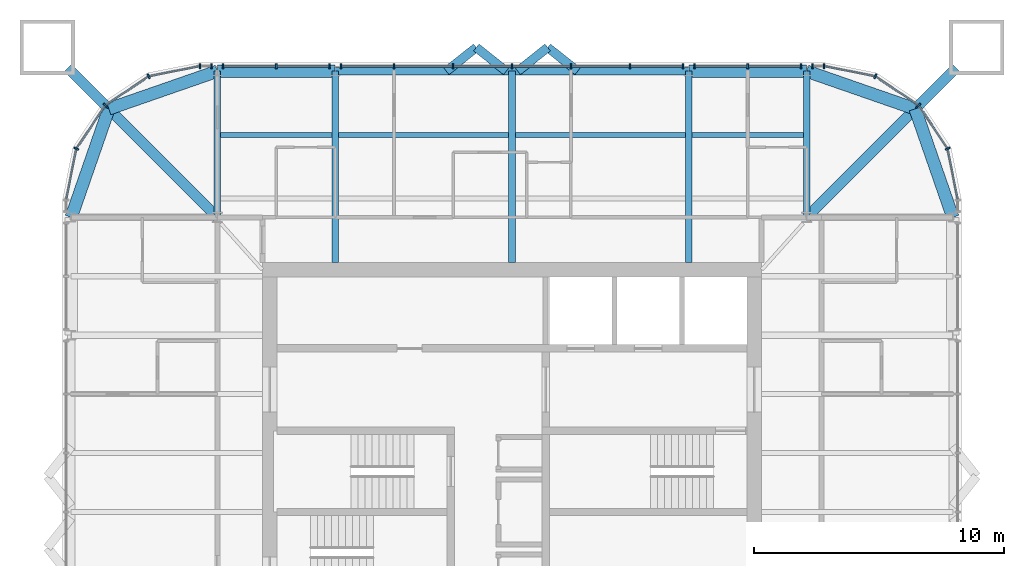
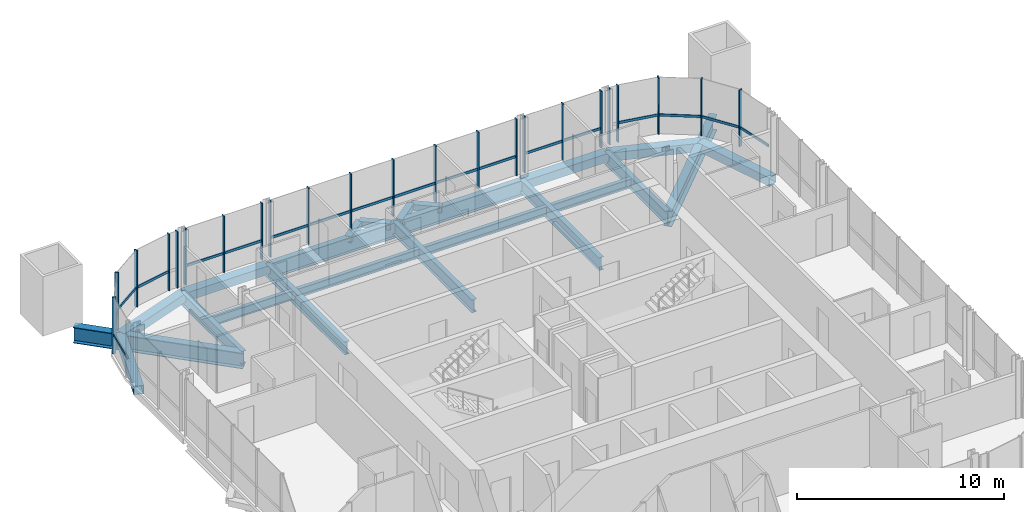
# One storey, part 6 of 17: 41 members, 22 beams, 7 elements without a shape of their own.
"""IFC4 building model written with IfcOpenShell, lengths in metres."""

from ifc_helpers import new_model, si_unit, direction, frame, origin, origin_2d, place, context, subcontext, project, spatial, rectangle, hollow_rectangle, i_section, extrude, material, material_profile, profile_set, type_object, element, aggregate, save


model = new_model("IFC4")

# Units and contexts
model_context = context("Model", 3, precision=1e-05, world=origin(), true_north=direction((0.0, 1.0)))
body_context = subcontext(model_context, "Body", "Model", "MODEL_VIEW")
ifc_project = project(units=[si_unit("LENGTHUNIT", "METRE"), si_unit("AREAUNIT", "SQUARE_METRE"), si_unit("VOLUMEUNIT", "CUBIC_METRE"), si_unit("PLANEANGLEUNIT", "RADIAN"), si_unit("MASSUNIT", "GRAM", prefix="KILO")], contexts=[model_context])

# Site, building, storey
site_placement = place(None, origin())
site = spatial("IfcSite", under=ifc_project, at=site_placement, CompositionType="ELEMENT")
building_placement = place(site_placement, origin())
building = spatial("IfcBuilding", under=site, at=building_placement, Name="Turquesa Mirador Hotel Tower", CompositionType="ELEMENT")
storey_placement = place(building_placement, frame((0.0, 0.0, 247.699951171875)))
storey = spatial("IfcBuildingStorey", under=building, at=storey_placement, Name="L67", CompositionType="ELEMENT", Elevation=247.699951171875)

# Beams
ifc_material_1 = material(Name="Steel ASTM A572 Grade 50", Category="steel")
ifc_material_profile_1 = material_profile(ifc_material_1, hollow_rectangle(XDim=0.5, YDim=0.5, WallThickness=0.01611328125, at=origin_2d()), Name="BOX500X500X16")
ifc_profile_set_1 = profile_set([ifc_material_profile_1], Name="Steel ASTM A572 Grade 50")
beam_type_1 = type_object("IfcBeamType", Name="BEAM BOX500X500X16", PredefinedType="BEAM", material=ifc_profile_set_1)
for number, where, z_axis, x_axis, name in (
    (1, (43.199951171875, 62.64990234375, -0.419921875), (1.0, 0.0, 0.0), (0.0, 1.0, 0.0), "EB-L67-N-L"),
    (2, (62.080078125, 62.64990234375, -0.419921875), (1.0, 0.0, 0.0), (0.0, 1.0, 0.0), "EB-L67-N-R"),
):
    element("IfcBeam", number, at=place(storey_placement, frame(where, z_axis=z_axis, x_axis=x_axis)), inside=storey, type_object=beam_type_1, Name=name, PredefinedType="BEAM", context=body_context, shape_type="SweptSolid", body=[
        extrude(hollow_rectangle(XDim=0.5, YDim=0.5, WallThickness=0.01611328125, at=origin_2d()), origin(), (0.0, 0.0, 1.0), 4.719970703125),
    ])
for number, where, z_axis, x_axis, name in (
    (3, (72.64990234375, 56.800048828125, -0.419921875), (-0.328170356092, 0.944618556552, 0.0), (-0.944618556552, -0.328170356092, 0.0), "KE-L67-1-0"),
    (4, (71.1416015625, 61.1416015625, -0.419921875), (-0.944618556552, 0.328170356092, 0.0), (-0.328170356092, -0.944618556552, 0.0), "KE-L67-1-1"),
    (5, (37.35009765625, 56.800048828125, -0.419921875), (0.328170356092, 0.944618556552, 0.0), (-0.944618556552, 0.328170356092, 0.0), "KE-L67-2-0"),
    (6, (38.8583984375, 61.1416015625, -0.419921875), (0.944618556552, 0.328170356092, 0.0), (-0.328170356092, 0.944618556552, 0.0), "KE-L67-2-1"),
):
    element("IfcBeam", number, at=place(storey_placement, frame(where, z_axis=z_axis, x_axis=x_axis)), inside=storey, type_object=beam_type_1, Name=name, PredefinedType="BEAM", context=body_context, shape_type="SweptSolid", body=[
        extrude(hollow_rectangle(XDim=0.5, YDim=0.5, WallThickness=0.01611328125, at=origin_2d()), origin(), (0.0, 0.0, 1.0), 4.59619140625),
    ])
ifc_material_2 = material(Name="Steel ASTM A992 Grade 50", Category="steel")
ifc_material_profile_2 = material_profile(ifc_material_2, i_section(OverallWidth=0.209228515625, OverallDepth=0.533447265625, WebThickness=0.01025390625, FlangeThickness=0.015625, at=origin_2d()), Name="W21X62")
ifc_profile_set_2 = profile_set([ifc_material_profile_2], Name="Steel ASTM A992 Grade 50")
beam_type_2 = type_object("IfcBeamType", Name="BEAM W21X62", PredefinedType="BEAM", material=ifc_profile_set_2)
beam_1_placement = place(storey_placement, frame((43.333251953125, 60.10009765625, -0.436767578125), z_axis=(1.0, 0.0, 0.0), x_axis=(0.0, 1.0, 0.0)))
element("IfcBeam", 7, at=beam_1_placement, inside=storey, type_object=beam_type_2, Name="IB-L67-N-2-0", PredefinedType="BEAM", context=body_context, shape_type="SweptSolid", body=[
    extrude(i_section(OverallWidth=0.209228515625, OverallDepth=0.533447265625, WebThickness=0.01025390625, FlangeThickness=0.015625, at=origin_2d()), origin(), (0.0, 0.0, 1.0), 4.453369140625),
])
for number, where, z_axis, x_axis, name in (
    (8, (48.053466796875, 60.10009765625, -0.436767578125), (1.0, 0.0, 0.0), (0.0, 1.0, 0.0), "IB-L67-N-2-1"),
    (9, (55.13330078125, 60.10009765625, -0.436767578125), (1.0, 0.0, 0.0), (0.0, 1.0, 0.0), "IB-L67-N-2-2"),
):
    element("IfcBeam", number, at=place(storey_placement, frame(where, z_axis=z_axis, x_axis=x_axis)), inside=storey, type_object=beam_type_2, Name=name, PredefinedType="BEAM", context=body_context, shape_type="SweptSolid", body=[
        extrude(i_section(OverallWidth=0.209228515625, OverallDepth=0.533447265625, WebThickness=0.01025390625, FlangeThickness=0.015625, at=origin_2d()), origin(), (0.0, 0.0, 1.0), 6.813232421875),
    ])
beam_2_placement = place(storey_placement, frame((62.21337890625, 60.10009765625, -0.436767578125), z_axis=(1.0, 0.0, 0.0), x_axis=(0.0, 1.0, 0.0)))
element("IfcBeam", 10, at=beam_2_placement, inside=storey, type_object=beam_type_2, Name="IB-L67-N-2-3", PredefinedType="BEAM", context=body_context, shape_type="SweptSolid", body=[
    extrude(i_section(OverallWidth=0.209228515625, OverallDepth=0.533447265625, WebThickness=0.01025390625, FlangeThickness=0.015625, at=origin_2d()), origin(), (0.0, 0.0, 1.0), 4.453369140625),
])
ifc_material_3 = material(Name="Steel ASTM A992 Grade 50", Category="steel")
ifc_material_profile_3 = material_profile(ifc_material_3, i_section(OverallWidth=0.2666015625, OverallDepth=0.7568359375, WebThickness=0.013916015625, FlangeThickness=0.019287109375, at=origin_2d()), Name="W30X108")
ifc_profile_set_3 = profile_set([ifc_material_profile_3], Name="Steel ASTM A992 Grade 50")
beam_type_3 = type_object("IfcBeamType", Name="BEAM W30X108", PredefinedType="BEAM", material=ifc_profile_set_3)
for number, where, z_axis, x_axis, name in (
    (11, (47.919921875, 62.64990234375, -0.54833984375), (0.0, -1.0, 0.0), (1.0, 0.0, 0.0), "GD-L67-N--7.08"),
    (12, (62.080078125, 62.64990234375, -0.54833984375), (0.0, -1.0, 0.0), (1.0, 0.0, 0.0), "GD-L67-N-+7.08"),
    (13, (55.0, 62.64990234375, -0.54833984375), (0.0, -1.0, 0.0), (1.0, 0.0, 0.0), "GD-L67-N-+0.00"),
):
    element("IfcBeam", number, at=place(storey_placement, frame(where, z_axis=z_axis, x_axis=x_axis)), inside=storey, type_object=beam_type_3, Name=name, PredefinedType="BEAM", context=body_context, shape_type="SweptSolid", body=[
        extrude(i_section(OverallWidth=0.2666015625, OverallDepth=0.7568359375, WebThickness=0.013916015625, FlangeThickness=0.019287109375, at=origin_2d()), origin(), (0.0, 0.0, 1.0), 7.64990234375),
    ])
for number, where, z_axis, x_axis, name in (
    (14, (43.199951171875, 62.64990234375, -0.54833984375), (0.0, -1.0, 0.0), (1.0, 0.0, 0.0), "GK-L67-N--11.80"),
    (15, (66.800048828125, 62.64990234375, -0.54833984375), (0.0, -1.0, 0.0), (1.0, 0.0, 0.0), "GK-L67-N-+11.80"),
):
    element("IfcBeam", number, at=place(storey_placement, frame(where, z_axis=z_axis, x_axis=x_axis)), inside=storey, type_object=beam_type_3, Name=name, PredefinedType="BEAM", context=body_context, shape_type="SweptSolid", body=[
        extrude(i_section(OverallWidth=0.2666015625, OverallDepth=0.7568359375, WebThickness=0.013916015625, FlangeThickness=0.019287109375, at=origin_2d()), origin(), (0.0, 0.0, 1.0), 5.849853515625),
    ])
ifc_material_4 = material(Name="Steel ASTM A992 Grade 50", Category="steel")
ifc_material_profile_4 = material_profile(ifc_material_4, i_section(OverallWidth=0.3046875, OverallDepth=0.911865234375, WebThickness=0.015869140625, FlangeThickness=0.02392578125, at=origin_2d()), Name="W36X150")
ifc_profile_set_4 = profile_set([ifc_material_profile_4], Name="Steel ASTM A992 Grade 50")
beam_type_4 = type_object("IfcBeamType", Name="BEAM W36X150", PredefinedType="BEAM", material=ifc_profile_set_4)
beam_3_placement = place(storey_placement, frame((47.919921875, 62.64990234375, -0.6259765625), z_axis=(1.0, 0.0, 0.0), x_axis=(0.0, 1.0, 0.0)))
element("IfcBeam", 16, at=beam_3_placement, inside=storey, type_object=beam_type_4, Name="EB-L67-N-C", PredefinedType="BEAM", context=body_context, shape_type="SweptSolid", body=[
    extrude(i_section(OverallWidth=0.3046875, OverallDepth=0.911865234375, WebThickness=0.015869140625, FlangeThickness=0.02392578125, at=origin_2d()), origin(), (0.0, 0.0, 1.0), 14.16015625),
])
ifc_material_5 = material(Name="Steel ASTM A992 Grade 50", Category="steel")
ifc_material_profile_5 = material_profile(ifc_material_5, i_section(OverallWidth=0.419189453125, OverallDepth=0.927001953125, WebThickness=0.019287109375, FlangeThickness=0.031982421875, at=origin_2d()), Name="W36X231")
ifc_profile_set_5 = profile_set([ifc_material_profile_5], Name="Steel ASTM A992 Grade 50")
beam_type_5 = type_object("IfcBeamType", Name="BEAM W36X231", PredefinedType="BEAM", material=ifc_profile_set_5)
for number, where, z_axis, x_axis, name in (
    (17, (66.800048828125, 56.800048828125, -0.633544921875), (0.707106781187, 0.707106781187, 0.0), (-0.707106781187, 0.707106781187, 0.0), "KD-L67-1"),
    (18, (43.199951171875, 56.800048828125, -0.633544921875), (-0.707106781187, 0.707106781187, 0.0), (-0.707106781187, -0.707106781187, 0.0), "KD-L67-2"),
):
    element("IfcBeam", number, at=place(storey_placement, frame(where, z_axis=z_axis, x_axis=x_axis)), inside=storey, type_object=beam_type_5, Name=name, PredefinedType="BEAM", context=body_context, shape_type="SweptSolid", body=[
        extrude(i_section(OverallWidth=0.419189453125, OverallDepth=0.927001953125, WebThickness=0.019287109375, FlangeThickness=0.031982421875, at=origin_2d()), origin(), (0.0, 0.0, 1.0), 8.46240234375),
    ])
ifc_material_6 = material(Name="Steel ASTM A500 Grade C", Category="steel")
ifc_material_profile_6 = material_profile(ifc_material_6, hollow_rectangle(XDim=0.355712890625, YDim=0.355712890625, WallThickness=0.0146484375, at=origin_2d()), Name="HSS14X14X5/8")
ifc_profile_set_6 = profile_set([ifc_material_profile_6], Name="Steel ASTM A500 Grade C")
beam_type_6 = type_object("IfcBeamType", Name="BRACE STRUT HSS14X14X5/8", PredefinedType="BEAM", material=ifc_profile_set_6)
beam_4_placement = place(storey_placement, frame((53.5693359375, 63.60009765625, -0.34765625), z_axis=(-0.784032888399, -0.620719284306, 0.0), x_axis=(0.620719284306, -0.784032888399, 0.0)))
element("IfcBeam", 19, at=beam_4_placement, inside=storey, type_object=beam_type_6, Name="Brace strut", PredefinedType="BEAM", context=body_context, shape_type="SweptSolid", body=[
    extrude(hollow_rectangle(XDim=0.355712890625, YDim=0.355712890625, WallThickness=0.0146484375, at=origin_2d()), origin(), (0.0, 0.0, 1.0), 1.53076171875),
])
for number, where, z_axis, x_axis, name in (
    (20, (53.5693359375, 63.60009765625, -0.34765625), (0.783971428146, -0.620796907089, 0.0), (0.620796907089, 0.783971428146, 0.0), "Brace strut"),
    (21, (56.4306640625, 63.60009765625, -0.34765625), (-0.783971428146, -0.620796907089, 0.0), (0.620796907089, -0.783971428146, 0.0), "Brace strut"),
):
    element("IfcBeam", number, at=place(storey_placement, frame(where, z_axis=z_axis, x_axis=x_axis)), inside=storey, type_object=beam_type_6, Name=name, PredefinedType="BEAM", context=body_context, shape_type="SweptSolid", body=[
        extrude(hollow_rectangle(XDim=0.355712890625, YDim=0.355712890625, WallThickness=0.0146484375, at=origin_2d()), origin(), (0.0, 0.0, 1.0), 1.530517578125),
    ])
beam_5_placement = place(storey_placement, frame((56.4306640625, 63.60009765625, -0.34765625), z_axis=(0.784032888399, -0.620719284306, 0.0), x_axis=(0.620719284306, 0.784032888399, 0.0)))
element("IfcBeam", 22, at=beam_5_placement, inside=storey, type_object=beam_type_6, Name="Brace strut", PredefinedType="BEAM", context=body_context, shape_type="SweptSolid", body=[
    extrude(hollow_rectangle(XDim=0.355712890625, YDim=0.355712890625, WallThickness=0.0146484375, at=origin_2d()), origin(), (0.0, 0.0, 1.0), 1.53076171875),
])

# Curtain wall, members
ifc_material_7 = material(Name="Aluminium extrusion", Category="aluminium")
curtain_wall_type = type_object("IfcCurtainWallType", Name="CW-4 SUITE FRITTED CURTAIN WALL", PredefinedType="USERDEFINED", material=ifc_material_7)
curtain_wall_1_placement = place(storey_placement, origin())
curtain_wall_1 = element("IfcCurtainWall", 23, at=curtain_wall_1_placement, inside=storey, type_object=curtain_wall_type, Name="CW-4 SUITE FRITTED CURTAIN WALL L67", ObjectType="CURTAIN WALL", PredefinedType="USERDEFINED")
ifc_material_8 = material(Name="Aluminium extrusion", Category="aluminium")
ifc_material_profile_7 = material_profile(ifc_material_8, rectangle(XDim=0.06494140625, YDim=0.199951171875, at=origin_2d()), Name="MULLION 65X200")
ifc_profile_set_7 = profile_set([ifc_material_profile_7], Name="Aluminium extrusion")
member_type_1 = type_object("IfcMemberType", Name="CW MULLION 65X200", PredefinedType="MULLION", material=ifc_profile_set_7)
member_1_placement = place(storey_placement, frame((72.44287109375, 59.54736328125, 0.0), z_axis=(0.0, 0.0, 1.0), x_axis=(-0.382683432365, 0.923879532511, 0.0)))
member_1 = element("IfcMember", 24, at=member_1_placement, type_object=member_type_1, Name="Mullion", PredefinedType="MULLION", context=body_context, shape_type="SweptSolid", body=[
    extrude(rectangle(XDim=0.06494140625, YDim=0.199951171875, at=origin_2d()), origin(), (0.0, 0.0, 1.0), 3.330078125),
])
member_2_placement = place(storey_placement, frame((71.282958984375, 61.282958984375, 0.0), z_axis=(0.0, 0.0, 1.0), x_axis=(-0.707106781187, 0.707106781187, 0.0)))
member_2 = element("IfcMember", 25, at=member_2_placement, type_object=member_type_1, Name="Mullion", PredefinedType="MULLION", context=body_context, shape_type="SweptSolid", body=[
    extrude(rectangle(XDim=0.06494140625, YDim=0.199951171875, at=origin_2d()), origin(), (0.0, 0.0, 1.0), 3.330078125),
])
member_3_placement = place(storey_placement, frame((69.54736328125, 62.44287109375, 0.0), z_axis=(0.0, 0.0, 1.0), x_axis=(-0.923879532511, 0.382683432365, 0.0)))
member_3 = element("IfcMember", 26, at=member_3_placement, type_object=member_type_1, Name="Mullion", PredefinedType="MULLION", context=body_context, shape_type="SweptSolid", body=[
    extrude(rectangle(XDim=0.06494140625, YDim=0.199951171875, at=origin_2d()), origin(), (0.0, 0.0, 1.0), 3.330078125),
])

curtain_wall_2_placement = place(storey_placement, origin())
curtain_wall_2 = element("IfcCurtainWall", 27, at=curtain_wall_2_placement, inside=storey, type_object=curtain_wall_type, Name="CW-4 SUITE FRITTED CURTAIN WALL L67", ObjectType="CURTAIN WALL", PredefinedType="USERDEFINED")
member_4_placement = place(storey_placement, frame((67.5, 62.85009765625, 0.0), z_axis=(0.0, 0.0, 1.0), x_axis=(-1.0, 0.0, 0.0)))
member_4 = element("IfcMember", 28, at=member_4_placement, type_object=member_type_1, Name="Mullion", PredefinedType="MULLION", context=body_context, shape_type="SweptSolid", body=[
    extrude(rectangle(XDim=0.06494140625, YDim=0.199951171875, at=origin_2d()), origin(), (0.0, 0.0, 1.0), 3.330078125),
])
member_5_placement = place(storey_placement, frame((67.033935546875, 62.85009765625, 0.0), z_axis=(0.0, 0.0, 1.0), x_axis=(-1.0, 0.0, 0.0)))
member_5 = element("IfcMember", 29, at=member_5_placement, type_object=member_type_1, Name="Mullion", PredefinedType="MULLION", context=body_context, shape_type="SweptSolid", body=[
    extrude(rectangle(XDim=0.06494140625, YDim=0.199951171875, at=origin_2d()), origin(), (0.0, 0.0, 1.0), 3.330078125),
])
aggregate(curtain_wall_2, [member_4, member_5])

curtain_wall_3_placement = place(storey_placement, origin())
curtain_wall_3 = element("IfcCurtainWall", 30, at=curtain_wall_3_placement, inside=storey, type_object=curtain_wall_type, Name="CW-4 SUITE FRITTED CURTAIN WALL L67", ObjectType="CURTAIN WALL", PredefinedType="USERDEFINED")
member_6_placement = place(storey_placement, frame((66.566162109375, 62.85009765625, 0.0), z_axis=(0.0, 0.0, 1.0), x_axis=(-1.0, 0.0, 0.0)))
member_6 = element("IfcMember", 31, at=member_6_placement, type_object=member_type_1, Name="Mullion", PredefinedType="MULLION", context=body_context, shape_type="SweptSolid", body=[
    extrude(rectangle(XDim=0.06494140625, YDim=0.199951171875, at=origin_2d()), origin(), (0.0, 0.0, 1.0), 3.330078125),
])
member_7_placement = place(storey_placement, frame((64.43994140625, 62.85009765625, 0.0), z_axis=(0.0, 0.0, 1.0), x_axis=(-1.0, 0.0, 0.0)))
member_7 = element("IfcMember", 32, at=member_7_placement, type_object=member_type_1, Name="Mullion", PredefinedType="MULLION", context=body_context, shape_type="SweptSolid", body=[
    extrude(rectangle(XDim=0.06494140625, YDim=0.199951171875, at=origin_2d()), origin(), (0.0, 0.0, 1.0), 3.330078125),
])
member_8_placement = place(storey_placement, frame((62.31396484375, 62.85009765625, 0.0), z_axis=(0.0, 0.0, 1.0), x_axis=(-1.0, 0.0, 0.0)))
member_8 = element("IfcMember", 33, at=member_8_placement, type_object=member_type_1, Name="Mullion", PredefinedType="MULLION", context=body_context, shape_type="SweptSolid", body=[
    extrude(rectangle(XDim=0.06494140625, YDim=0.199951171875, at=origin_2d()), origin(), (0.0, 0.0, 1.0), 3.330078125),
])

curtain_wall_4_placement = place(storey_placement, origin())
curtain_wall_4 = element("IfcCurtainWall", 34, at=curtain_wall_4_placement, inside=storey, type_object=curtain_wall_type, Name="CW-4 SUITE FRITTED CURTAIN WALL L67", ObjectType="CURTAIN WALL", PredefinedType="USERDEFINED")
member_9_placement = place(storey_placement, frame((61.84619140625, 62.85009765625, 0.0), z_axis=(0.0, 0.0, 1.0), x_axis=(-1.0, 0.0, 0.0)))
member_9 = element("IfcMember", 35, at=member_9_placement, type_object=member_type_1, Name="Mullion", PredefinedType="MULLION", context=body_context, shape_type="SweptSolid", body=[
    extrude(rectangle(XDim=0.06494140625, YDim=0.199951171875, at=origin_2d()), origin(), (0.0, 0.0, 1.0), 3.330078125),
])
member_10_placement = place(storey_placement, frame((59.719970703125, 62.85009765625, 0.0), z_axis=(0.0, 0.0, 1.0), x_axis=(-1.0, 0.0, 0.0)))
member_10 = element("IfcMember", 36, at=member_10_placement, type_object=member_type_1, Name="Mullion", PredefinedType="MULLION", context=body_context, shape_type="SweptSolid", body=[
    extrude(rectangle(XDim=0.06494140625, YDim=0.199951171875, at=origin_2d()), origin(), (0.0, 0.0, 1.0), 3.330078125),
])
member_11_placement = place(storey_placement, frame((57.360107421875, 62.85009765625, 0.0), z_axis=(0.0, 0.0, 1.0), x_axis=(-1.0, 0.0, 0.0)))
member_11 = element("IfcMember", 37, at=member_11_placement, type_object=member_type_1, Name="Mullion", PredefinedType="MULLION", context=body_context, shape_type="SweptSolid", body=[
    extrude(rectangle(XDim=0.06494140625, YDim=0.199951171875, at=origin_2d()), origin(), (0.0, 0.0, 1.0), 3.330078125),
])
member_12_placement = place(storey_placement, frame((55.0, 62.85009765625, 0.0), z_axis=(0.0, 0.0, 1.0), x_axis=(-1.0, 0.0, 0.0)))
member_12 = element("IfcMember", 38, at=member_12_placement, type_object=member_type_1, Name="Mullion", PredefinedType="MULLION", context=body_context, shape_type="SweptSolid", body=[
    extrude(rectangle(XDim=0.06494140625, YDim=0.199951171875, at=origin_2d()), origin(), (0.0, 0.0, 1.0), 3.330078125),
])
member_13_placement = place(storey_placement, frame((52.639892578125, 62.85009765625, 0.0), z_axis=(0.0, 0.0, 1.0), x_axis=(-1.0, 0.0, 0.0)))
member_13 = element("IfcMember", 39, at=member_13_placement, type_object=member_type_1, Name="Mullion", PredefinedType="MULLION", context=body_context, shape_type="SweptSolid", body=[
    extrude(rectangle(XDim=0.06494140625, YDim=0.199951171875, at=origin_2d()), origin(), (0.0, 0.0, 1.0), 3.330078125),
])
member_14_placement = place(storey_placement, frame((50.280029296875, 62.85009765625, 0.0), z_axis=(0.0, 0.0, 1.0), x_axis=(-1.0, 0.0, 0.0)))
member_14 = element("IfcMember", 40, at=member_14_placement, type_object=member_type_1, Name="Mullion", PredefinedType="MULLION", context=body_context, shape_type="SweptSolid", body=[
    extrude(rectangle(XDim=0.06494140625, YDim=0.199951171875, at=origin_2d()), origin(), (0.0, 0.0, 1.0), 3.330078125),
])
member_15_placement = place(storey_placement, frame((48.15380859375, 62.85009765625, 0.0), z_axis=(0.0, 0.0, 1.0), x_axis=(-1.0, 0.0, 0.0)))
member_15 = element("IfcMember", 41, at=member_15_placement, type_object=member_type_1, Name="Mullion", PredefinedType="MULLION", context=body_context, shape_type="SweptSolid", body=[
    extrude(rectangle(XDim=0.06494140625, YDim=0.199951171875, at=origin_2d()), origin(), (0.0, 0.0, 1.0), 3.330078125),
])

curtain_wall_5_placement = place(storey_placement, origin())
curtain_wall_5 = element("IfcCurtainWall", 42, at=curtain_wall_5_placement, inside=storey, type_object=curtain_wall_type, Name="CW-4 SUITE FRITTED CURTAIN WALL L67", ObjectType="CURTAIN WALL", PredefinedType="USERDEFINED")
member_16_placement = place(storey_placement, frame((47.68603515625, 62.85009765625, 0.0), z_axis=(0.0, 0.0, 1.0), x_axis=(-1.0, 0.0, 0.0)))
member_16 = element("IfcMember", 43, at=member_16_placement, type_object=member_type_1, Name="Mullion", PredefinedType="MULLION", context=body_context, shape_type="SweptSolid", body=[
    extrude(rectangle(XDim=0.06494140625, YDim=0.199951171875, at=origin_2d()), origin(), (0.0, 0.0, 1.0), 3.330078125),
])
member_17_placement = place(storey_placement, frame((45.56005859375, 62.85009765625, 0.0), z_axis=(0.0, 0.0, 1.0), x_axis=(-1.0, 0.0, 0.0)))
member_17 = element("IfcMember", 44, at=member_17_placement, type_object=member_type_1, Name="Mullion", PredefinedType="MULLION", context=body_context, shape_type="SweptSolid", body=[
    extrude(rectangle(XDim=0.06494140625, YDim=0.199951171875, at=origin_2d()), origin(), (0.0, 0.0, 1.0), 3.330078125),
])
member_18_placement = place(storey_placement, frame((43.433837890625, 62.85009765625, 0.0), z_axis=(0.0, 0.0, 1.0), x_axis=(-1.0, 0.0, 0.0)))
member_18 = element("IfcMember", 45, at=member_18_placement, type_object=member_type_1, Name="Mullion", PredefinedType="MULLION", context=body_context, shape_type="SweptSolid", body=[
    extrude(rectangle(XDim=0.06494140625, YDim=0.199951171875, at=origin_2d()), origin(), (0.0, 0.0, 1.0), 3.330078125),
])

curtain_wall_6_placement = place(storey_placement, origin())
curtain_wall_6 = element("IfcCurtainWall", 46, at=curtain_wall_6_placement, inside=storey, type_object=curtain_wall_type, Name="CW-4 SUITE FRITTED CURTAIN WALL L67", ObjectType="CURTAIN WALL", PredefinedType="USERDEFINED")
member_19_placement = place(storey_placement, frame((42.966064453125, 62.85009765625, 0.0), z_axis=(0.0, 0.0, 1.0), x_axis=(-1.0, 0.0, 0.0)))
member_19 = element("IfcMember", 47, at=member_19_placement, type_object=member_type_1, Name="Mullion", PredefinedType="MULLION", context=body_context, shape_type="SweptSolid", body=[
    extrude(rectangle(XDim=0.06494140625, YDim=0.199951171875, at=origin_2d()), origin(), (0.0, 0.0, 1.0), 3.330078125),
])
member_20_placement = place(storey_placement, frame((42.5, 62.85009765625, 0.0), z_axis=(0.0, 0.0, 1.0), x_axis=(-1.0, 0.0, 0.0)))
member_20 = element("IfcMember", 48, at=member_20_placement, type_object=member_type_1, Name="Mullion", PredefinedType="MULLION", context=body_context, shape_type="SweptSolid", body=[
    extrude(rectangle(XDim=0.06494140625, YDim=0.199951171875, at=origin_2d()), origin(), (0.0, 0.0, 1.0), 3.330078125),
])
aggregate(curtain_wall_6, [member_19, member_20])

curtain_wall_7_placement = place(storey_placement, origin())
curtain_wall_7 = element("IfcCurtainWall", 49, at=curtain_wall_7_placement, inside=storey, type_object=curtain_wall_type, Name="CW-4 SUITE FRITTED CURTAIN WALL L67", ObjectType="CURTAIN WALL", PredefinedType="USERDEFINED")
member_21_placement = place(storey_placement, frame((40.45263671875, 62.44287109375, 0.0), z_axis=(0.0, 0.0, 1.0), x_axis=(-0.923879532511, -0.382683432365, 0.0)))
member_21 = element("IfcMember", 50, at=member_21_placement, type_object=member_type_1, Name="Mullion", PredefinedType="MULLION", context=body_context, shape_type="SweptSolid", body=[
    extrude(rectangle(XDim=0.06494140625, YDim=0.199951171875, at=origin_2d()), origin(), (0.0, 0.0, 1.0), 3.330078125),
])
member_22_placement = place(storey_placement, frame((38.717041015625, 61.282958984375, 0.0), z_axis=(0.0, 0.0, 1.0), x_axis=(-0.707106781187, -0.707106781187, 0.0)))
member_22 = element("IfcMember", 51, at=member_22_placement, type_object=member_type_1, Name="Mullion", PredefinedType="MULLION", context=body_context, shape_type="SweptSolid", body=[
    extrude(rectangle(XDim=0.06494140625, YDim=0.199951171875, at=origin_2d()), origin(), (0.0, 0.0, 1.0), 3.330078125),
])
member_23_placement = place(storey_placement, frame((37.55712890625, 59.54736328125, 0.0), z_axis=(0.0, 0.0, 1.0), x_axis=(-0.382683432365, -0.923879532511, 0.0)))
member_23 = element("IfcMember", 52, at=member_23_placement, type_object=member_type_1, Name="Mullion", PredefinedType="MULLION", context=body_context, shape_type="SweptSolid", body=[
    extrude(rectangle(XDim=0.06494140625, YDim=0.199951171875, at=origin_2d()), origin(), (0.0, 0.0, 1.0), 3.330078125),
])

# Member
ifc_material_9 = material(Name="Aluminium extrusion", Category="aluminium")
ifc_material_profile_8 = material_profile(ifc_material_9, rectangle(XDim=0.06494140625, YDim=0.14990234375, at=origin_2d()), Name="TRANSOM 65X150")
ifc_profile_set_8 = profile_set([ifc_material_profile_8], Name="Aluminium extrusion")
member_type_2 = type_object("IfcMemberType", Name="CW TRANSOM 65X150", PredefinedType="USERDEFINED", material=ifc_profile_set_8)
member_24_placement = place(storey_placement, frame((72.84375, 57.531982421875, 1.10009765625), z_axis=(-0.195210621934, 0.980761343592, 0.0), x_axis=(-0.980761343592, -0.195210621934, 0.0)))
member_24 = element("IfcMember", 53, at=member_24_placement, type_object=member_type_2, Name="Transom", ObjectType="TRANSOM", PredefinedType="USERDEFINED", context=body_context, shape_type="SweptSolid", body=[
    extrude(rectangle(XDim=0.06494140625, YDim=0.14990234375, at=origin_2d()), origin(), (0.0, 0.0, 1.0), 2.022216796875),
])

member_25_placement = place(storey_placement, frame((72.4248046875, 59.574462890625, 1.10009765625), z_axis=(-0.555619095835, 0.831436961136, 0.0), x_axis=(-0.831436961136, -0.555619095835, 0.0)))
member_25 = element("IfcMember", 54, at=member_25_placement, type_object=member_type_2, Name="Transom", ObjectType="TRANSOM", PredefinedType="USERDEFINED", context=body_context, shape_type="SweptSolid", body=[
    extrude(rectangle(XDim=0.06494140625, YDim=0.14990234375, at=origin_2d()), origin(), (0.0, 0.0, 1.0), 2.0224609375),
])

member_26_placement = place(storey_placement, frame((71.256103515625, 61.301025390625, 1.10009765625), z_axis=(-0.831436961136, 0.555619095835, 0.0), x_axis=(-0.555619095835, -0.831436961136, 0.0)))
member_26 = element("IfcMember", 55, at=member_26_placement, type_object=member_type_2, Name="Transom", ObjectType="TRANSOM", PredefinedType="USERDEFINED", context=body_context, shape_type="SweptSolid", body=[
    extrude(rectangle(XDim=0.06494140625, YDim=0.14990234375, at=origin_2d()), origin(), (0.0, 0.0, 1.0), 2.0224609375),
])

member_27_placement = place(storey_placement, frame((69.515380859375, 62.448974609375, 1.10009765625), z_axis=(-0.980761343592, 0.195210621934, 0.0), x_axis=(-0.195210621934, -0.980761343592, 0.0)))
member_27 = element("IfcMember", 56, at=member_27_placement, type_object=member_type_2, Name="Transom", ObjectType="TRANSOM", PredefinedType="USERDEFINED", context=body_context, shape_type="SweptSolid", body=[
    extrude(rectangle(XDim=0.06494140625, YDim=0.14990234375, at=origin_2d()), origin(), (0.0, 0.0, 1.0), 2.022216796875),
])

aggregate(curtain_wall_1, [member_1, member_2, member_3, member_24, member_25, member_26, member_27])

member_28_placement = place(storey_placement, frame((66.53369140625, 62.85009765625, 1.10009765625), z_axis=(-1.0, 0.0, 0.0), x_axis=(0.0, -1.0, 0.0)))
member_28 = element("IfcMember", 57, at=member_28_placement, type_object=member_type_2, Name="Transom", ObjectType="TRANSOM", PredefinedType="USERDEFINED", context=body_context, shape_type="SweptSolid", body=[
    extrude(rectangle(XDim=0.06494140625, YDim=0.14990234375, at=origin_2d()), origin(), (0.0, 0.0, 1.0), 2.061279296875),
])

member_29_placement = place(storey_placement, frame((64.407470703125, 62.85009765625, 1.10009765625), z_axis=(-1.0, 0.0, 0.0), x_axis=(0.0, -1.0, 0.0)))
member_29 = element("IfcMember", 58, at=member_29_placement, type_object=member_type_2, Name="Transom", ObjectType="TRANSOM", PredefinedType="USERDEFINED", context=body_context, shape_type="SweptSolid", body=[
    extrude(rectangle(XDim=0.06494140625, YDim=0.14990234375, at=origin_2d()), origin(), (0.0, 0.0, 1.0), 2.06103515625),
])

aggregate(curtain_wall_3, [member_6, member_7, member_8, member_28, member_29])

member_30_placement = place(storey_placement, frame((61.813720703125, 62.85009765625, 1.10009765625), z_axis=(-1.0, 0.0, 0.0), x_axis=(0.0, -1.0, 0.0)))
member_30 = element("IfcMember", 59, at=member_30_placement, type_object=member_type_2, Name="Transom", ObjectType="TRANSOM", PredefinedType="USERDEFINED", context=body_context, shape_type="SweptSolid", body=[
    extrude(rectangle(XDim=0.06494140625, YDim=0.14990234375, at=origin_2d()), origin(), (0.0, 0.0, 1.0), 2.061279296875),
])

member_31_placement = place(storey_placement, frame((59.6875, 62.85009765625, 1.10009765625), z_axis=(-1.0, 0.0, 0.0), x_axis=(0.0, -1.0, 0.0)))
member_31 = element("IfcMember", 60, at=member_31_placement, type_object=member_type_2, Name="Transom", ObjectType="TRANSOM", PredefinedType="USERDEFINED", context=body_context, shape_type="SweptSolid", body=[
    extrude(rectangle(XDim=0.06494140625, YDim=0.14990234375, at=origin_2d()), origin(), (0.0, 0.0, 1.0), 2.294921875),
])

member_32_placement = place(storey_placement, frame((57.327392578125, 62.85009765625, 1.10009765625), z_axis=(-1.0, 0.0, 0.0), x_axis=(0.0, -1.0, 0.0)))
member_32 = element("IfcMember", 61, at=member_32_placement, type_object=member_type_2, Name="Transom", ObjectType="TRANSOM", PredefinedType="USERDEFINED", context=body_context, shape_type="SweptSolid", body=[
    extrude(rectangle(XDim=0.06494140625, YDim=0.14990234375, at=origin_2d()), origin(), (0.0, 0.0, 1.0), 2.294921875),
])

member_33_placement = place(storey_placement, frame((54.967529296875, 62.85009765625, 1.10009765625), z_axis=(-1.0, 0.0, 0.0), x_axis=(0.0, -1.0, 0.0)))
member_33 = element("IfcMember", 62, at=member_33_placement, type_object=member_type_2, Name="Transom", ObjectType="TRANSOM", PredefinedType="USERDEFINED", context=body_context, shape_type="SweptSolid", body=[
    extrude(rectangle(XDim=0.06494140625, YDim=0.14990234375, at=origin_2d()), origin(), (0.0, 0.0, 1.0), 2.294921875),
])

member_34_placement = place(storey_placement, frame((52.607421875, 62.85009765625, 1.10009765625), z_axis=(-1.0, 0.0, 0.0), x_axis=(0.0, -1.0, 0.0)))
member_34 = element("IfcMember", 63, at=member_34_placement, type_object=member_type_2, Name="Transom", ObjectType="TRANSOM", PredefinedType="USERDEFINED", context=body_context, shape_type="SweptSolid", body=[
    extrude(rectangle(XDim=0.06494140625, YDim=0.14990234375, at=origin_2d()), origin(), (0.0, 0.0, 1.0), 2.294921875),
])

member_35_placement = place(storey_placement, frame((50.24755859375, 62.85009765625, 1.10009765625), z_axis=(-1.0, 0.0, 0.0), x_axis=(0.0, -1.0, 0.0)))
member_35 = element("IfcMember", 64, at=member_35_placement, type_object=member_type_2, Name="Transom", ObjectType="TRANSOM", PredefinedType="USERDEFINED", context=body_context, shape_type="SweptSolid", body=[
    extrude(rectangle(XDim=0.06494140625, YDim=0.14990234375, at=origin_2d()), origin(), (0.0, 0.0, 1.0), 2.061279296875),
])

aggregate(curtain_wall_4, [member_9, member_10, member_11, member_12, member_13, member_14, member_15, member_30, member_31, member_32, member_33, member_34, member_35])

member_36_placement = place(storey_placement, frame((47.653564453125, 62.85009765625, 1.10009765625), z_axis=(-1.0, 0.0, 0.0), x_axis=(0.0, -1.0, 0.0)))
member_36 = element("IfcMember", 65, at=member_36_placement, type_object=member_type_2, Name="Transom", ObjectType="TRANSOM", PredefinedType="USERDEFINED", context=body_context, shape_type="SweptSolid", body=[
    extrude(rectangle(XDim=0.06494140625, YDim=0.14990234375, at=origin_2d()), origin(), (0.0, 0.0, 1.0), 2.06103515625),
])

member_37_placement = place(storey_placement, frame((45.527587890625, 62.85009765625, 1.10009765625), z_axis=(-1.0, 0.0, 0.0), x_axis=(0.0, -1.0, 0.0)))
member_37 = element("IfcMember", 66, at=member_37_placement, type_object=member_type_2, Name="Transom", ObjectType="TRANSOM", PredefinedType="USERDEFINED", context=body_context, shape_type="SweptSolid", body=[
    extrude(rectangle(XDim=0.06494140625, YDim=0.14990234375, at=origin_2d()), origin(), (0.0, 0.0, 1.0), 2.061279296875),
])

aggregate(curtain_wall_5, [member_16, member_17, member_18, member_36, member_37])

member_38_placement = place(storey_placement, frame((42.468017578125, 62.84375, 1.10009765625), z_axis=(-0.980761343592, -0.195210621934, 0.0), x_axis=(0.195210621934, -0.980761343592, 0.0)))
member_38 = element("IfcMember", 67, at=member_38_placement, type_object=member_type_2, Name="Transom", ObjectType="TRANSOM", PredefinedType="USERDEFINED", context=body_context, shape_type="SweptSolid", body=[
    extrude(rectangle(XDim=0.06494140625, YDim=0.14990234375, at=origin_2d()), origin(), (0.0, 0.0, 1.0), 2.022216796875),
])

member_39_placement = place(storey_placement, frame((40.425537109375, 62.4248046875, 1.10009765625), z_axis=(-0.831436961136, -0.555619095835, 0.0), x_axis=(0.555619095835, -0.831436961136, 0.0)))
member_39 = element("IfcMember", 68, at=member_39_placement, type_object=member_type_2, Name="Transom", ObjectType="TRANSOM", PredefinedType="USERDEFINED", context=body_context, shape_type="SweptSolid", body=[
    extrude(rectangle(XDim=0.06494140625, YDim=0.14990234375, at=origin_2d()), origin(), (0.0, 0.0, 1.0), 2.0224609375),
])

member_40_placement = place(storey_placement, frame((38.698974609375, 61.256103515625, 1.10009765625), z_axis=(-0.555619095835, -0.831436961136, 0.0), x_axis=(0.831436961136, -0.555619095835, 0.0)))
member_40 = element("IfcMember", 69, at=member_40_placement, type_object=member_type_2, Name="Transom", ObjectType="TRANSOM", PredefinedType="USERDEFINED", context=body_context, shape_type="SweptSolid", body=[
    extrude(rectangle(XDim=0.06494140625, YDim=0.14990234375, at=origin_2d()), origin(), (0.0, 0.0, 1.0), 2.0224609375),
])

member_41_placement = place(storey_placement, frame((37.551025390625, 59.515380859375, 1.10009765625), z_axis=(-0.195210621934, -0.980761343592, 0.0), x_axis=(0.980761343592, -0.195210621934, 0.0)))
member_41 = element("IfcMember", 70, at=member_41_placement, type_object=member_type_2, Name="Transom", ObjectType="TRANSOM", PredefinedType="USERDEFINED", context=body_context, shape_type="SweptSolid", body=[
    extrude(rectangle(XDim=0.06494140625, YDim=0.14990234375, at=origin_2d()), origin(), (0.0, 0.0, 1.0), 2.022216796875),
])

aggregate(curtain_wall_7, [member_21, member_22, member_23, member_38, member_39, member_40, member_41])

save(model, "model.ifc")
